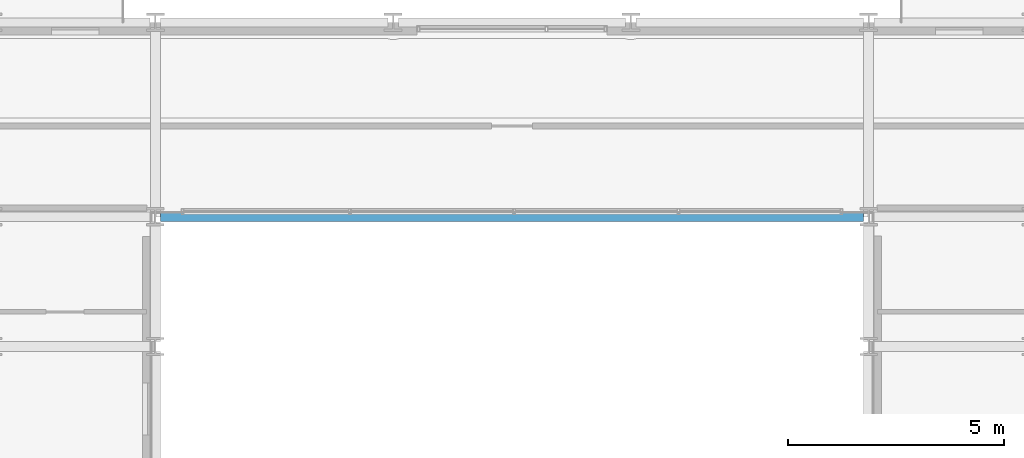
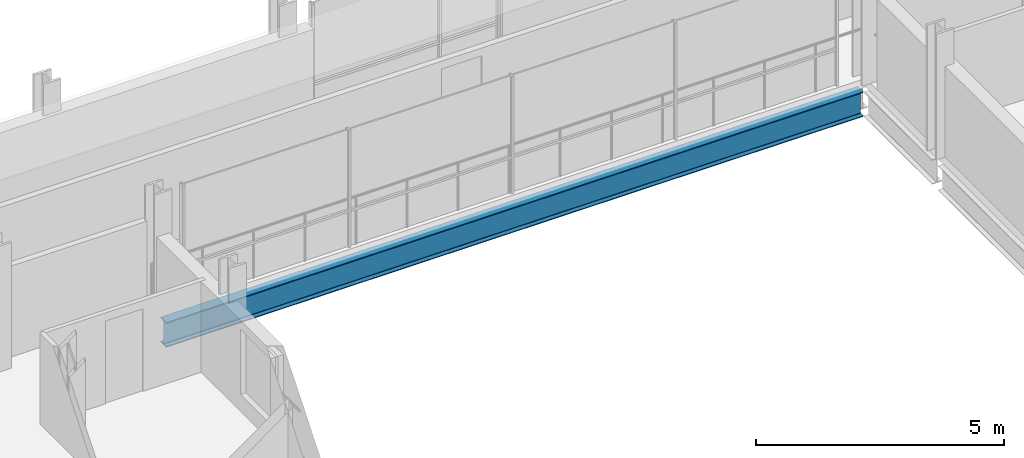
# One storey, part 10 of 38: 1 beam.
"""IFC4 building model written with IfcOpenShell, lengths in metres."""

from ifc_helpers import new_model, si_unit, direction, frame, origin, origin_2d, place, context, subcontext, project, spatial, i_section, extrude, material, material_profile, profile_set, type_object, element, save


model = new_model("IFC4")

# Units and contexts
model_context = context("Model", 3, precision=1e-05, world=origin(), true_north=direction((0.0, 1.0)))
body_context = subcontext(model_context, "Body", "Model", "MODEL_VIEW")
ifc_project = project(units=[si_unit("LENGTHUNIT", "METRE"), si_unit("AREAUNIT", "SQUARE_METRE"), si_unit("VOLUMEUNIT", "CUBIC_METRE"), si_unit("PLANEANGLEUNIT", "RADIAN"), si_unit("MASSUNIT", "GRAM", prefix="KILO")], contexts=[model_context])

# Site, building, storey
site_placement = place(None, origin())
site = spatial("IfcSite", under=ifc_project, at=site_placement, CompositionType="ELEMENT")
building_placement = place(site_placement, origin())
building = spatial("IfcBuilding", under=site, at=building_placement, Name="Brevholm Reach", CompositionType="ELEMENT")
storey_placement = place(building_placement, frame((0.0, 0.0, 128.300048828125)))
storey = spatial("IfcBuildingStorey", under=building, at=storey_placement, Name="L38", CompositionType="ELEMENT", Elevation=128.300048828125)

# Beam
ifc_material = material(Name="Structural Steel S355J2", Category="steel")
ifc_material_profile = material_profile(ifc_material, i_section(OverallWidth=0.22900390625, OverallDepth=0.6123046875, WebThickness=0.011962890625, FlangeThickness=0.01953125, FilletRadius=0.0126953125, at=origin_2d()), Name="UKB 610x229x125")
ifc_profile_set = profile_set([ifc_material_profile], Name="Structural Steel S355J2")
beam_type = type_object("IfcBeamType", Name="BM-SP610", PredefinedType="SPANDREL", material=ifc_profile_set)
beam_placement = place(storey_placement, frame((21.8701171875, 26.5, -0.526123046875), z_axis=(1.0, 0.0, 0.0), x_axis=(0.0, 1.0, 0.0)))
element("IfcBeam", 1, at=beam_placement, inside=storey, type_object=beam_type, Name="L38 SP-01 Framing Beam", PredefinedType="SPANDREL", context=body_context, shape_type="SweptSolid", body=[
    extrude(i_section(OverallWidth=0.22900390625, OverallDepth=0.6123046875, WebThickness=0.011962890625, FlangeThickness=0.01953125, FilletRadius=0.0126953125, at=origin_2d()), origin(), (0.0, 0.0, 1.0), 16.259765625),
])

save(model, "model.ifc")
